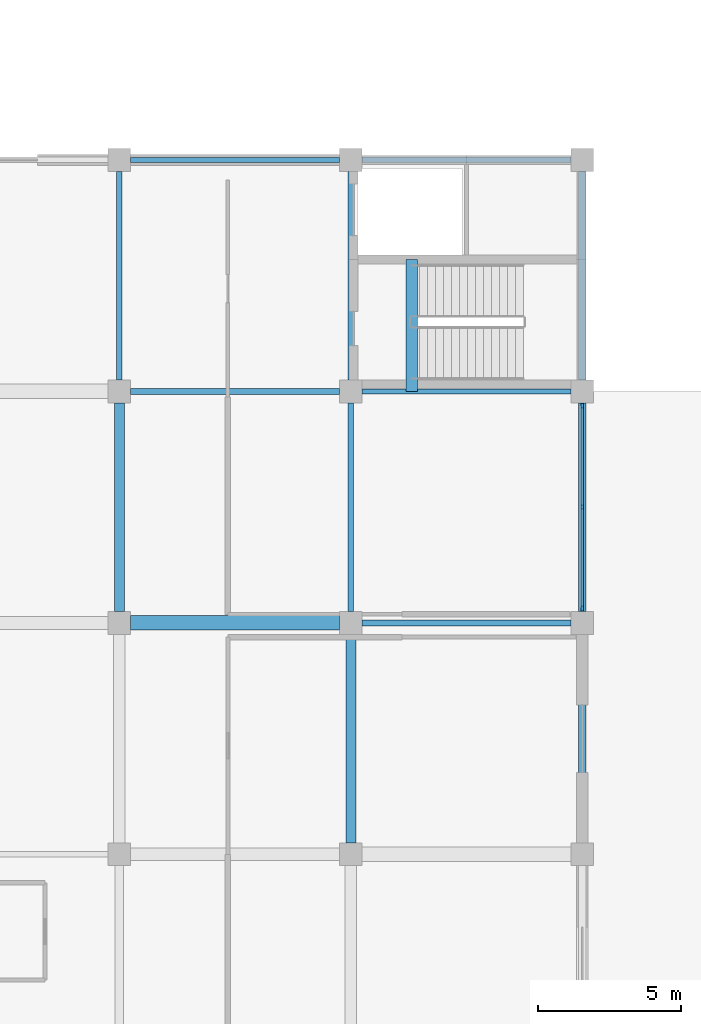
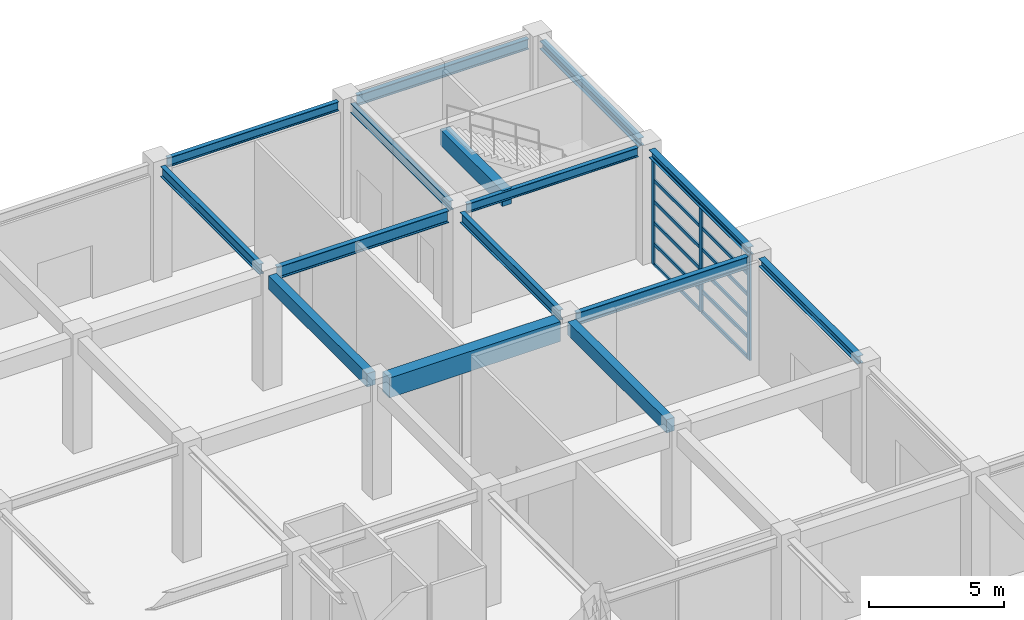
# One storey, part 27 of 52: 15 beams, 15 members, 1 element without a shape of its own.
"""IFC4 building model written with IfcOpenShell, lengths in metres."""

import ifcopenshell
import ifcopenshell.guid

model = None  # the IFC model being written
_history = None  # IfcOwnerHistory: only IFC2X3 demands one
_inside = {}  # id of a spatial element -> (the spatial element, [elements in it])
_under = {}  # id of a project, library or spatial element -> (it, [spatial elements below it])
_declared = {}  # id of a project -> (the project, [libraries it declares])
_typed = {}  # id of a type object -> (the type object, [elements of that type])
_made_of = {}  # id of a material, layer set ... -> (it, [elements and type objects made of it])


def new_model(schema):
    """Start an empty IFC model of exactly this schema.

    Asked for "IFC4X3", IfcOpenShell would pick the latest addendum, in which some entities
    have other attributes; the version numbers below select the first issue.
    IFC2X3 requires an IfcOwnerHistory on every rooted entity: one is made here for all.
    """
    global model, _history
    if schema == "IFC4X3":
        model = ifcopenshell.file(schema_version=(4, 3, 0, 0))
    else:
        model = ifcopenshell.file(schema=schema)
    _inside.clear()
    _under.clear()
    _declared.clear()
    _typed.clear()
    _made_of.clear()
    _history = None
    if model.schema == "IFC2X3":
        org = make("IfcOrganization", Name="unknown")
        user = make(
            "IfcPersonAndOrganization",
            ThePerson=make("IfcPerson", FamilyName="unknown"),
            TheOrganization=org,
        )
        app = make(
            "IfcApplication",
            ApplicationDeveloper=org,
            Version="unknown",
            ApplicationFullName="unknown",
            ApplicationIdentifier="unknown",
        )
        _history = make(
            "IfcOwnerHistory",
            OwningUser=user,
            OwningApplication=app,
            ChangeAction="ADDED",
            CreationDate=0,
        )
    return model


def make(cls, **values):
    """One entity of the class cls with the attributes given. An attribute that is None is left unset."""
    return model.create_entity(
        cls, **{name: value for name, value in values.items() if value is not None}
    )


def rooted(cls, **values):
    """An entity with a GlobalId (a new one), such as an element, a storey or a relation."""
    return make(cls, GlobalId=ifcopenshell.guid.new(), OwnerHistory=_history, **values)


def si_unit(unit_type, name, prefix=None):
    """IfcSIUnit, for example si_unit("LENGTHUNIT", "METRE", prefix="MILLI")."""
    return make("IfcSIUnit", UnitType=unit_type, Prefix=prefix, Name=name)


def assignment(units):
    """IfcUnitAssignment: the units of a project."""
    return None if units is None else make("IfcUnitAssignment", Units=units)


def point(xyz):
    """IfcCartesianPoint."""
    return None if xyz is None else make("IfcCartesianPoint", Coordinates=xyz)


def direction(xyz):
    """IfcDirection."""
    return None if xyz is None else make("IfcDirection", DirectionRatios=xyz)


def frame(location, z_axis=None, x_axis=None):
    """IfcAxis2Placement3D, a coordinate frame: its origin and axes. An axis left out is left unset."""
    return make(
        "IfcAxis2Placement3D",
        Location=point(location),
        Axis=direction(z_axis),
        RefDirection=direction(x_axis),
    )


def frame_2d(location, x_axis=None):
    """IfcAxis2Placement2D, a coordinate frame in the plane: its origin and x axis."""
    return make(
        "IfcAxis2Placement2D", Location=point(location), RefDirection=direction(x_axis)
    )


def origin():
    """The frame at (0, 0, 0) with its axes left unset."""
    return frame((0.0, 0.0, 0.0))


def origin_2d():
    """The frame at (0, 0) in the plane with its x axis left unset."""
    return frame_2d((0.0, 0.0))


def place(relative_to, where):
    """IfcLocalPlacement: puts the frame where relative to a parent placement (None: the world)."""
    return make(
        "IfcLocalPlacement", PlacementRelTo=relative_to, RelativePlacement=where
    )


def context(
    kind, dimensions, precision=None, world=None, true_north=None, identifier=None
):
    """IfcGeometricRepresentationContext, for example the 3D "Model" context."""
    return make(
        "IfcGeometricRepresentationContext",
        ContextIdentifier=identifier,
        ContextType=kind,
        CoordinateSpaceDimension=dimensions,
        Precision=precision,
        WorldCoordinateSystem=world,
        TrueNorth=true_north,
    )


def subcontext(parent, identifier, kind, view, scale=None):
    """IfcGeometricRepresentationSubContext, for example "Body" below "Model"."""
    return make(
        "IfcGeometricRepresentationSubContext",
        ContextIdentifier=identifier,
        ContextType=kind,
        ParentContext=parent,
        TargetScale=scale,
        TargetView=view,
    )


def project(units=None, contexts=None):
    """IfcProject with its units and contexts."""
    return rooted(
        "IfcProject",
        Name="project",
        RepresentationContexts=contexts,
        UnitsInContext=assignment(units),
    )


def spatial(cls, under=None, at=None, **own):
    """A site, building, storey or space (cls), placed at a placement, below another one or the project."""
    s = rooted(cls, ObjectPlacement=at, **own)
    if under is not None:
        _under.setdefault(under.id(), (under, []))[1].append(s)
    return s


def profile(cls, at=None, kind="AREA", **sizes):
    """A parametric profile (cls). Its sizes go by their IFC names, for example OverallWidth=200.0."""
    return make(cls, ProfileType=kind, Position=at, **sizes)


def rectangle(**sizes):
    """IfcRectangleProfileDef."""
    return profile("IfcRectangleProfileDef", **sizes)


def i_section(**sizes):
    """IfcIShapeProfileDef."""
    return profile("IfcIShapeProfileDef", **sizes)


def extrude(swept, where, along, depth):
    """IfcExtrudedAreaSolid: the profile swept, set in the frame where, extruded along a direction by depth."""
    return make(
        "IfcExtrudedAreaSolid",
        SweptArea=swept,
        Position=where,
        ExtrudedDirection=direction(along),
        Depth=depth,
    )


def shape(context_of_items, identifier, shape_type, items):
    """IfcShapeRepresentation: the items that make up one representation, for example the "Body"."""
    return make(
        "IfcShapeRepresentation",
        ContextOfItems=context_of_items,
        RepresentationIdentifier=identifier,
        RepresentationType=shape_type,
        Items=items,
    )


def material(Name=None, Category=None):
    """IfcMaterial."""
    return make("IfcMaterial", Name=Name, Category=Category)


def material_profile(
    of_material, cross_section, Name=None, Category=None, Priority=None
):
    """IfcMaterialProfile: a cross section and its material."""
    return make(
        "IfcMaterialProfile",
        Name=Name,
        Material=of_material,
        Profile=cross_section,
        Priority=Priority,
        Category=Category,
    )


def profile_set(profiles, Name=None, composite=None):
    """IfcMaterialProfileSet."""
    return make(
        "IfcMaterialProfileSet",
        Name=Name,
        MaterialProfiles=profiles,
        CompositeProfile=composite,
    )


def made_of(thing, what):
    """Note that an element or type object is made of a material, layer set ...; save() writes the relation."""
    if what is not None:
        _made_of.setdefault(what.id(), (what, []))[1].append(thing)
    return thing


def type_object(cls, material=None, **own):
    """A type object (cls), such as IfcWallType, which elements share."""
    return made_of(rooted(cls, **own), material)


def element(
    cls,
    number,
    at=None,
    inside=None,
    cuts=None,
    type_object=None,
    material=None,
    context=None,
    identifier="Body",
    shape_type=None,
    held_by="IfcProductDefinitionShape",
    body=None,
    shapes=None,
    **own,
):
    """One element of the class cls, such as IfcWall. Its Tag is "e" and its number.

    at: its placement. inside: the storey or other place that contains it. cuts: it is an
    opening in that element (IfcRelVoidsElement). A single representation is given by context,
    identifier, shape_type and body (its items); several are given by shapes. held_by: the class
    of the entity that holds the representations. save() writes the other relations.
    """
    e = rooted(cls, Tag="e%d" % number, ObjectPlacement=at, **own)
    if body is not None:
        shapes = [shape(context, identifier, shape_type, body)]
    if shapes is not None:
        e.Representation = make(held_by, Representations=shapes)
    if inside is not None:
        _inside.setdefault(inside.id(), (inside, []))[1].append(e)
    if cuts is not None:
        rooted(
            "IfcRelVoidsElement", RelatingBuildingElement=cuts, RelatedOpeningElement=e
        )
    if type_object is not None:
        _typed.setdefault(type_object.id(), (type_object, []))[1].append(e)
    return made_of(e, material)


def aggregate(whole, parts):
    """IfcRelAggregates: a whole, such as a stair, and the parts it consists of."""
    return rooted("IfcRelAggregates", RelatingObject=whole, RelatedObjects=parts)


def save(model, path):
    """Write the relations noted so far, then the file.

    IfcRelAggregates (storeys below a building ...), IfcRelContainedInSpatialStructure (elements
    in a storey), IfcRelDefinesByType, IfcRelAssociatesMaterial and IfcRelDeclares: one each for
    every whole, place, type object, material and project.
    """
    for whole, parts in _under.values():
        aggregate(whole, parts)
    for where, things in _inside.values():
        rooted(
            "IfcRelContainedInSpatialStructure",
            RelatedElements=things,
            RelatingStructure=where,
        )
    for kind, things in _typed.values():
        rooted("IfcRelDefinesByType", RelatedObjects=things, RelatingType=kind)
    for what, things in _made_of.values():
        rooted("IfcRelAssociatesMaterial", RelatedObjects=things, RelatingMaterial=what)
    for by, libraries in _declared.values():
        rooted("IfcRelDeclares", RelatingContext=by, RelatedDefinitions=libraries)
    model.write(path)


model = new_model("IFC4")

# Units and contexts
model_context = context("Model", 3, precision=1e-05, world=origin(), true_north=direction((0.0, 1.0)))
body_context = subcontext(model_context, "Body", "Model", "MODEL_VIEW")
ifc_project = project(units=[si_unit("LENGTHUNIT", "METRE"), si_unit("AREAUNIT", "SQUARE_METRE"), si_unit("VOLUMEUNIT", "CUBIC_METRE"), si_unit("PLANEANGLEUNIT", "RADIAN"), si_unit("MASSUNIT", "GRAM", prefix="KILO")], contexts=[model_context])

# Site, building, storey
site_placement = place(None, origin())
site = spatial("IfcSite", under=ifc_project, at=site_placement, CompositionType="ELEMENT")
building_placement = place(site_placement, origin())
building = spatial("IfcBuilding", under=site, at=building_placement, Name="Parian Resonance Hall", CompositionType="ELEMENT")
storey_placement = place(building_placement, origin())
storey = spatial("IfcBuildingStorey", under=building, at=storey_placement, Name="L00", CompositionType="ELEMENT", Elevation=0.0)

# Beams
ifc_material_1 = material(Name="Concrete C40/50", Category="concrete")
ifc_material_profile_1 = material_profile(ifc_material_1, rectangle(XDim=0.35009765625, YDim=0.60009765625, at=origin_2d()), Name="RC-BM-350x600")
ifc_profile_set_1 = profile_set([ifc_material_profile_1], Name="Concrete C40/50")
beam_type_1 = type_object("IfcBeamType", Name="BM-RC350x600", PredefinedType="BEAM", material=ifc_profile_set_1)
for number, where, z_axis, x_axis, name in (
    (1, (129.60009765625, 73.300048828125, 4.830078125), (0.0, 1.0, 0.0), (-1.0, 0.0, 0.0), "GY-L00-0479"),
    (2, (137.699951171875, 65.199951171875, 4.830078125), (0.0, 1.0, 0.0), (-1.0, 0.0, 0.0), "GY-L00-0488"),
):
    element("IfcBeam", number, at=place(storey_placement, frame(where, z_axis=z_axis, x_axis=x_axis)), inside=storey, type_object=beam_type_1, Name=name, PredefinedType="BEAM", context=body_context, shape_type="SweptSolid", body=[
        extrude(rectangle(XDim=0.35009765625, YDim=0.60009765625, at=origin_2d()), origin(), (0.0, 0.0, 1.0), 7.300048828125),
    ])
ifc_material_2 = material(Name="Concrete C40/50", Category="concrete")
ifc_material_profile_2 = material_profile(ifc_material_2, rectangle(XDim=0.39990234375, YDim=0.699951171875, at=origin_2d()), Name="RC-BM-400x700")
ifc_profile_set_2 = profile_set([ifc_material_profile_2], Name="Concrete C40/50")
beam_type_2 = type_object("IfcBeamType", Name="BM-RC400x700", PredefinedType="BEAM", material=ifc_profile_set_2)
beam_1_placement = place(storey_placement, frame((139.840087890625, 81.0, 4.780029296875), z_axis=(0.0, 1.0, 0.0), x_axis=(-1.0, 0.0, 0.0)))
element("IfcBeam", 3, at=beam_1_placement, inside=storey, type_object=beam_type_2, Name="Core K6 stair arrival trimmer beam L00", PredefinedType="BEAM", context=body_context, shape_type="SweptSolid", body=[
    extrude(rectangle(XDim=0.39990234375, YDim=0.699951171875, at=origin_2d()), origin(), (0.0, 0.0, 1.0), 4.610107421875),
])
ifc_material_3 = material(Name="Concrete C40/50", Category="concrete")
ifc_material_profile_3 = material_profile(ifc_material_3, rectangle(XDim=0.5, YDim=0.89990234375, at=origin_2d()), Name="RC-BM-500x900")
ifc_profile_set_3 = profile_set([ifc_material_profile_3], Name="Concrete C40/50")
beam_type_3 = type_object("IfcBeamType", Name="BM-RC500x900", PredefinedType="USERDEFINED", material=ifc_profile_set_3)
beam_2_placement = place(storey_placement, frame((130.0, 72.89990234375, 4.679931640625), z_axis=(1.0, 0.0, 0.0), x_axis=(0.0, 1.0, 0.0)))
element("IfcBeam", 4, at=beam_2_placement, inside=storey, type_object=beam_type_3, Name="GX-L00-0369", ObjectType="GIRDER", PredefinedType="USERDEFINED", context=body_context, shape_type="SweptSolid", body=[
    extrude(rectangle(XDim=0.5, YDim=0.89990234375, at=origin_2d()), origin(), (0.0, 0.0, 1.0), 7.300048828125),
])
ifc_material_4 = material(Name="Steel S355", Category="steel")
ifc_material_profile_4 = material_profile(ifc_material_4, i_section(OverallWidth=0.2548828125, OverallDepth=0.35693359375, WebThickness=0.010498046875, FlangeThickness=0.018310546875, FilletRadius=0.01513671875, at=origin_2d()), Name="W360x101")
ifc_profile_set_4 = profile_set([ifc_material_profile_4], Name="Steel S355")
beam_type_4 = type_object("IfcBeamType", Name="BM-W360x101", PredefinedType="SPANDREL", material=ifc_profile_set_4)
for number, where, z_axis, x_axis, name in (
    (5, (145.800048828125, 65.199951171875, 4.951416015625), (0.0, 1.0, 0.0), (-1.0, 0.0, 0.0), "GY-L00-0498"),
    (6, (145.800048828125, 73.300048828125, 4.951416015625), (0.0, 1.0, 0.0), (-1.0, 0.0, 0.0), "GY-L00-0499"),
    (7, (145.800048828125, 81.39990234375, 4.951416015625), (0.0, 1.0, 0.0), (-1.0, 0.0, 0.0), "GY-L00-0500"),
):
    element("IfcBeam", number, at=place(storey_placement, frame(where, z_axis=z_axis, x_axis=x_axis)), inside=storey, type_object=beam_type_4, Name=name, PredefinedType="SPANDREL", context=body_context, shape_type="SweptSolid", body=[
        extrude(i_section(OverallWidth=0.2548828125, OverallDepth=0.35693359375, WebThickness=0.010498046875, FlangeThickness=0.018310546875, FilletRadius=0.01513671875, at=origin_2d()), origin(), (0.0, 0.0, 1.0), 7.300048828125),
    ])
ifc_material_5 = material(Name="Steel S355", Category="steel")
ifc_material_profile_5 = material_profile(ifc_material_5, i_section(OverallWidth=0.180908203125, OverallDepth=0.4169921875, WebThickness=0.010986328125, FlangeThickness=0.018310546875, FilletRadius=0.01513671875, at=origin_2d()), Name="W410x85")
ifc_profile_set_5 = profile_set([ifc_material_profile_5], Name="Steel S355")
beam_type_5 = type_object("IfcBeamType", Name="BM-W410x85", PredefinedType="SPANDREL", material=ifc_profile_set_5)
beam_3_placement = place(storey_placement, frame((130.0, 89.10009765625, 4.92138671875), z_axis=(1.0, 0.0, 0.0), x_axis=(0.0, 1.0, 0.0)))
element("IfcBeam", 8, at=beam_3_placement, inside=storey, type_object=beam_type_5, Name="GX-L00-0371", PredefinedType="SPANDREL", context=body_context, shape_type="SweptSolid", body=[
    extrude(i_section(OverallWidth=0.180908203125, OverallDepth=0.4169921875, WebThickness=0.010986328125, FlangeThickness=0.018310546875, FilletRadius=0.01513671875, at=origin_2d()), origin(), (0.0, 0.0, 1.0), 7.300048828125),
])
beam_4_placement = place(storey_placement, frame((138.10009765625, 81.0, 4.92138671875), z_axis=(1.0, 0.0, 0.0), x_axis=(0.0, 1.0, 0.0)))
element("IfcBeam", 9, at=beam_4_placement, inside=storey, type_object=beam_type_5, Name="GX-L00-0381", PredefinedType="SPANDREL", context=body_context, shape_type="SweptSolid", body=[
    extrude(i_section(OverallWidth=0.180908203125, OverallDepth=0.4169921875, WebThickness=0.010986328125, FlangeThickness=0.018310546875, FilletRadius=0.01513671875, at=origin_2d()), origin(), (0.0, 0.0, 1.0), 7.2998046875),
])
beam_5_placement = place(storey_placement, frame((137.699951171875, 81.39990234375, 4.92138671875), z_axis=(0.0, 1.0, 0.0), x_axis=(-1.0, 0.0, 0.0)))
element("IfcBeam", 10, at=beam_5_placement, inside=storey, type_object=beam_type_5, Name="GY-L00-0490", PredefinedType="SPANDREL", context=body_context, shape_type="SweptSolid", body=[
    extrude(i_section(OverallWidth=0.180908203125, OverallDepth=0.4169921875, WebThickness=0.010986328125, FlangeThickness=0.018310546875, FilletRadius=0.01513671875, at=origin_2d()), origin(), (0.0, 0.0, 1.0), 7.300048828125),
])
ifc_material_6 = material(Name="Steel S355", Category="steel")
ifc_material_profile_6 = material_profile(ifc_material_6, i_section(OverallWidth=0.194091796875, OverallDepth=0.468994140625, WebThickness=0.0126953125, FlangeThickness=0.0205078125, FilletRadius=0.01513671875, at=origin_2d()), Name="W460x106")
ifc_profile_set_6 = profile_set([ifc_material_profile_6], Name="Steel S355")
beam_type_6 = type_object("IfcBeamType", Name="BM-W460x106", PredefinedType="SPANDREL", material=ifc_profile_set_6)
beam_6_placement = place(storey_placement, frame((138.10009765625, 89.10009765625, 4.8955078125), z_axis=(1.0, 0.0, 0.0), x_axis=(0.0, 1.0, 0.0)))
element("IfcBeam", 11, at=beam_6_placement, inside=storey, type_object=beam_type_6, Name="GX-L00-0382", PredefinedType="SPANDREL", context=body_context, shape_type="SweptSolid", body=[
    extrude(i_section(OverallWidth=0.194091796875, OverallDepth=0.468994140625, WebThickness=0.0126953125, FlangeThickness=0.0205078125, FilletRadius=0.01513671875, at=origin_2d()), origin(), (0.0, 0.0, 1.0), 7.2998046875),
])
for number, where, z_axis, x_axis, name in (
    (12, (129.60009765625, 81.39990234375, 4.8955078125), (0.0, 1.0, 0.0), (-1.0, 0.0, 0.0), "GY-L00-0480"),
    (13, (137.699951171875, 73.300048828125, 4.8955078125), (0.0, 1.0, 0.0), (-1.0, 0.0, 0.0), "GY-L00-0489"),
):
    element("IfcBeam", number, at=place(storey_placement, frame(where, z_axis=z_axis, x_axis=x_axis)), inside=storey, type_object=beam_type_6, Name=name, PredefinedType="SPANDREL", context=body_context, shape_type="SweptSolid", body=[
        extrude(i_section(OverallWidth=0.194091796875, OverallDepth=0.468994140625, WebThickness=0.0126953125, FlangeThickness=0.0205078125, FilletRadius=0.01513671875, at=origin_2d()), origin(), (0.0, 0.0, 1.0), 7.300048828125),
    ])
ifc_material_7 = material(Name="Steel S355", Category="steel")
ifc_material_profile_7 = material_profile(ifc_material_7, i_section(OverallWidth=0.2119140625, OverallDepth=0.5439453125, WebThickness=0.01318359375, FlangeThickness=0.021240234375, FilletRadius=0.017822265625, at=origin_2d()), Name="W530x123")
ifc_profile_set_7 = profile_set([ifc_material_profile_7], Name="Steel S355")
beam_type_7 = type_object("IfcBeamType", Name="BM-W530x123", PredefinedType="USERDEFINED", material=ifc_profile_set_7)
beam_7_placement = place(storey_placement, frame((130.0, 81.0, 4.85791015625), z_axis=(1.0, 0.0, 0.0), x_axis=(0.0, 1.0, 0.0)))
element("IfcBeam", 14, at=beam_7_placement, inside=storey, type_object=beam_type_7, Name="GX-L00-0370", ObjectType="GIRDER", PredefinedType="USERDEFINED", context=body_context, shape_type="SweptSolid", body=[
    extrude(i_section(OverallWidth=0.2119140625, OverallDepth=0.5439453125, WebThickness=0.01318359375, FlangeThickness=0.021240234375, FilletRadius=0.017822265625, at=origin_2d()), origin(), (0.0, 0.0, 1.0), 7.300048828125),
])
beam_8_placement = place(storey_placement, frame((138.10009765625, 72.89990234375, 4.85791015625), z_axis=(1.0, 0.0, 0.0), x_axis=(0.0, 1.0, 0.0)))
element("IfcBeam", 15, at=beam_8_placement, inside=storey, type_object=beam_type_7, Name="GX-L00-0380", ObjectType="GIRDER", PredefinedType="USERDEFINED", context=body_context, shape_type="SweptSolid", body=[
    extrude(i_section(OverallWidth=0.2119140625, OverallDepth=0.5439453125, WebThickness=0.01318359375, FlangeThickness=0.021240234375, FilletRadius=0.017822265625, at=origin_2d()), origin(), (0.0, 0.0, 1.0), 7.2998046875),
])

# Curtain wall, members
ifc_material_8 = material(Name="Bronze-anodised aluminium frame", Category="aluminium")
curtain_wall_type = type_object("IfcCurtainWallType", Name="CW-SYS-04", PredefinedType="NOTDEFINED", material=ifc_material_8)
curtain_wall_placement = place(storey_placement, origin())
curtain_wall = element("IfcCurtainWall", 16, at=curtain_wall_placement, inside=storey, type_object=curtain_wall_type, Name="Curtain wall CW-L00-142", PredefinedType="NOTDEFINED")
ifc_material_9 = material(Name="Bronze-anodised aluminium frame", Category="aluminium")
ifc_material_profile_8 = material_profile(ifc_material_9, rectangle(XDim=0.074951171875, YDim=0.199951171875, at=origin_2d()), Name="CWM-75x200")
ifc_profile_set_8 = profile_set([ifc_material_profile_8], Name="Bronze-anodised aluminium frame")
member_type_1 = type_object("IfcMemberType", Name="CWM-75x200", PredefinedType="MULLION", material=ifc_profile_set_8)
member_1_placement = place(storey_placement, frame((145.800048828125, 80.482421875, -0.008056640625), z_axis=(0.0, 0.0, 1.0), x_axis=(1.0, 0.0, 0.0)))
member_1 = element("IfcMember", 17, at=member_1_placement, type_object=member_type_1, Name="CW-04 mullion 1", PredefinedType="MULLION", context=body_context, shape_type="SweptSolid", body=[
    extrude(rectangle(XDim=0.074951171875, YDim=0.199951171875, at=origin_2d()), origin(), (0.0, 0.0, 1.0), 4.78515625),
])
member_2_placement = place(storey_placement, frame((145.800048828125, 76.949951171875, -0.008056640625), z_axis=(0.0, 0.0, 1.0), x_axis=(1.0, 0.0, 0.0)))
member_2 = element("IfcMember", 18, at=member_2_placement, type_object=member_type_1, Name="CW-04 mullion 2", PredefinedType="MULLION", context=body_context, shape_type="SweptSolid", body=[
    extrude(rectangle(XDim=0.074951171875, YDim=0.199951171875, at=origin_2d()), origin(), (0.0, 0.0, 1.0), 4.78515625),
])
member_3_placement = place(storey_placement, frame((145.800048828125, 73.41748046875, -0.008056640625), z_axis=(0.0, 0.0, 1.0), x_axis=(1.0, 0.0, 0.0)))
member_3 = element("IfcMember", 19, at=member_3_placement, type_object=member_type_1, Name="CW-04 mullion 3", PredefinedType="MULLION", context=body_context, shape_type="SweptSolid", body=[
    extrude(rectangle(XDim=0.074951171875, YDim=0.199951171875, at=origin_2d()), origin(), (0.0, 0.0, 1.0), 4.78515625),
])
ifc_material_10 = material(Name="Bronze-anodised aluminium frame", Category="aluminium")
ifc_material_profile_9 = material_profile(ifc_material_10, rectangle(XDim=0.074951171875, YDim=0.14990234375, at=origin_2d()), Name="CWT-75x150")
ifc_profile_set_9 = profile_set([ifc_material_profile_9], Name="Bronze-anodised aluminium frame")
member_type_2 = type_object("IfcMemberType", Name="CWT-75x150", PredefinedType="USERDEFINED", material=ifc_profile_set_9)
member_4_placement = place(storey_placement, frame((145.800048828125, 80.445068359375, 0.029541015625), z_axis=(0.0, -1.0, 0.0), x_axis=(1.0, 0.0, 0.0)))
member_4 = element("IfcMember", 20, at=member_4_placement, type_object=member_type_2, Name="CW-04 transom 1.1", ObjectType="TRANSOM", PredefinedType="USERDEFINED", context=body_context, shape_type="SweptSolid", body=[
    extrude(rectangle(XDim=0.074951171875, YDim=0.14990234375, at=origin_2d()), origin(), (0.0, 0.0, 1.0), 3.45751953125),
])
member_5_placement = place(storey_placement, frame((145.800048828125, 80.445068359375, 0.953369140625), z_axis=(0.0, -1.0, 0.0), x_axis=(1.0, 0.0, 0.0)))
member_5 = element("IfcMember", 21, at=member_5_placement, type_object=member_type_2, Name="CW-04 transom 1.2", ObjectType="TRANSOM", PredefinedType="USERDEFINED", context=body_context, shape_type="SweptSolid", body=[
    extrude(rectangle(XDim=0.074951171875, YDim=0.14990234375, at=origin_2d()), origin(), (0.0, 0.0, 1.0), 3.45751953125),
])
member_6_placement = place(storey_placement, frame((145.800048828125, 80.445068359375, 1.90673828125), z_axis=(0.0, -1.0, 0.0), x_axis=(1.0, 0.0, 0.0)))
member_6 = element("IfcMember", 22, at=member_6_placement, type_object=member_type_2, Name="CW-04 transom 1.3", ObjectType="TRANSOM", PredefinedType="USERDEFINED", context=body_context, shape_type="SweptSolid", body=[
    extrude(rectangle(XDim=0.074951171875, YDim=0.14990234375, at=origin_2d()), origin(), (0.0, 0.0, 1.0), 3.45751953125),
])
member_7_placement = place(storey_placement, frame((145.800048828125, 80.445068359375, 2.860107421875), z_axis=(0.0, -1.0, 0.0), x_axis=(1.0, 0.0, 0.0)))
member_7 = element("IfcMember", 23, at=member_7_placement, type_object=member_type_2, Name="CW-04 transom 1.4", ObjectType="TRANSOM", PredefinedType="USERDEFINED", context=body_context, shape_type="SweptSolid", body=[
    extrude(rectangle(XDim=0.074951171875, YDim=0.14990234375, at=origin_2d()), origin(), (0.0, 0.0, 1.0), 3.45751953125),
])
member_8_placement = place(storey_placement, frame((145.800048828125, 80.445068359375, 3.813720703125), z_axis=(0.0, -1.0, 0.0), x_axis=(1.0, 0.0, 0.0)))
member_8 = element("IfcMember", 24, at=member_8_placement, type_object=member_type_2, Name="CW-04 transom 1.5", ObjectType="TRANSOM", PredefinedType="USERDEFINED", context=body_context, shape_type="SweptSolid", body=[
    extrude(rectangle(XDim=0.074951171875, YDim=0.14990234375, at=origin_2d()), origin(), (0.0, 0.0, 1.0), 3.45751953125),
])
member_9_placement = place(storey_placement, frame((145.800048828125, 80.445068359375, 4.739501953125), z_axis=(0.0, -1.0, 0.0), x_axis=(1.0, 0.0, 0.0)))
member_9 = element("IfcMember", 25, at=member_9_placement, type_object=member_type_2, Name="CW-04 transom 1.6", ObjectType="TRANSOM", PredefinedType="USERDEFINED", context=body_context, shape_type="SweptSolid", body=[
    extrude(rectangle(XDim=0.074951171875, YDim=0.14990234375, at=origin_2d()), origin(), (0.0, 0.0, 1.0), 3.45751953125),
])
member_10_placement = place(storey_placement, frame((145.800048828125, 76.91259765625, 0.029541015625), z_axis=(0.0, -1.0, 0.0), x_axis=(1.0, 0.0, 0.0)))
member_10 = element("IfcMember", 26, at=member_10_placement, type_object=member_type_2, Name="CW-04 transom 2.1", ObjectType="TRANSOM", PredefinedType="USERDEFINED", context=body_context, shape_type="SweptSolid", body=[
    extrude(rectangle(XDim=0.074951171875, YDim=0.14990234375, at=origin_2d()), origin(), (0.0, 0.0, 1.0), 3.45751953125),
])
member_11_placement = place(storey_placement, frame((145.800048828125, 76.91259765625, 0.953369140625), z_axis=(0.0, -1.0, 0.0), x_axis=(1.0, 0.0, 0.0)))
member_11 = element("IfcMember", 27, at=member_11_placement, type_object=member_type_2, Name="CW-04 transom 2.2", ObjectType="TRANSOM", PredefinedType="USERDEFINED", context=body_context, shape_type="SweptSolid", body=[
    extrude(rectangle(XDim=0.074951171875, YDim=0.14990234375, at=origin_2d()), origin(), (0.0, 0.0, 1.0), 3.45751953125),
])
member_12_placement = place(storey_placement, frame((145.800048828125, 76.91259765625, 1.90673828125), z_axis=(0.0, -1.0, 0.0), x_axis=(1.0, 0.0, 0.0)))
member_12 = element("IfcMember", 28, at=member_12_placement, type_object=member_type_2, Name="CW-04 transom 2.3", ObjectType="TRANSOM", PredefinedType="USERDEFINED", context=body_context, shape_type="SweptSolid", body=[
    extrude(rectangle(XDim=0.074951171875, YDim=0.14990234375, at=origin_2d()), origin(), (0.0, 0.0, 1.0), 3.45751953125),
])
member_13_placement = place(storey_placement, frame((145.800048828125, 76.91259765625, 2.860107421875), z_axis=(0.0, -1.0, 0.0), x_axis=(1.0, 0.0, 0.0)))
member_13 = element("IfcMember", 29, at=member_13_placement, type_object=member_type_2, Name="CW-04 transom 2.4", ObjectType="TRANSOM", PredefinedType="USERDEFINED", context=body_context, shape_type="SweptSolid", body=[
    extrude(rectangle(XDim=0.074951171875, YDim=0.14990234375, at=origin_2d()), origin(), (0.0, 0.0, 1.0), 3.45751953125),
])
member_14_placement = place(storey_placement, frame((145.800048828125, 76.91259765625, 3.813720703125), z_axis=(0.0, -1.0, 0.0), x_axis=(1.0, 0.0, 0.0)))
member_14 = element("IfcMember", 30, at=member_14_placement, type_object=member_type_2, Name="CW-04 transom 2.5", ObjectType="TRANSOM", PredefinedType="USERDEFINED", context=body_context, shape_type="SweptSolid", body=[
    extrude(rectangle(XDim=0.074951171875, YDim=0.14990234375, at=origin_2d()), origin(), (0.0, 0.0, 1.0), 3.45751953125),
])
member_15_placement = place(storey_placement, frame((145.800048828125, 76.91259765625, 4.739501953125), z_axis=(0.0, -1.0, 0.0), x_axis=(1.0, 0.0, 0.0)))
member_15 = element("IfcMember", 31, at=member_15_placement, type_object=member_type_2, Name="CW-04 transom 2.6", ObjectType="TRANSOM", PredefinedType="USERDEFINED", context=body_context, shape_type="SweptSolid", body=[
    extrude(rectangle(XDim=0.074951171875, YDim=0.14990234375, at=origin_2d()), origin(), (0.0, 0.0, 1.0), 3.45751953125),
])
aggregate(curtain_wall, [member_1, member_2, member_3, member_4, member_5, member_6, member_7, member_8, member_9, member_10, member_11, member_12, member_13, member_14, member_15])

save(model, "model.ifc")
